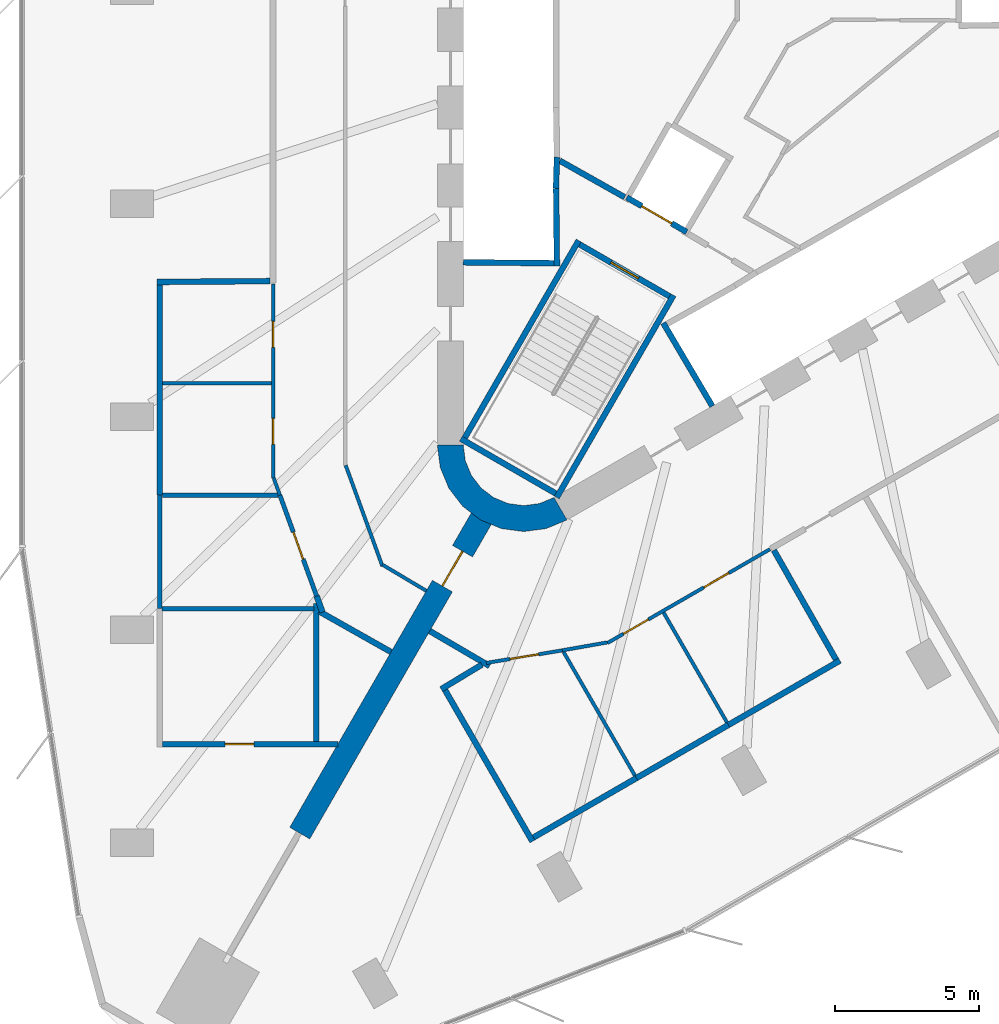
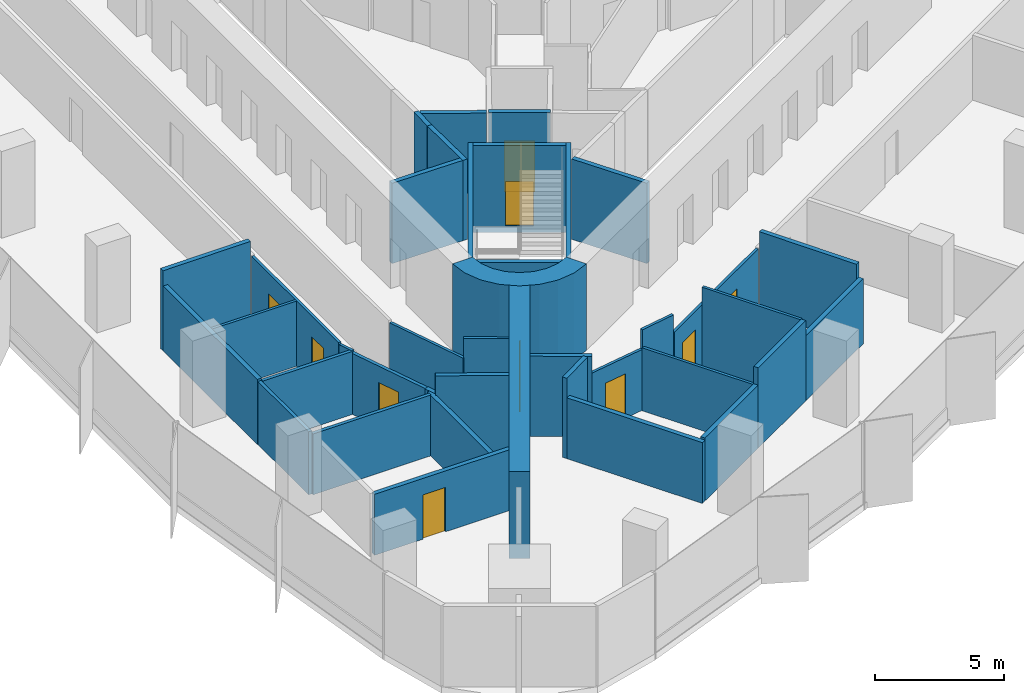
# One storey, part 9 of 15: 39 walls, 10 doors, 10 openings.
"""IFC4 building model written with IfcOpenShell, lengths in metres."""

from ifc_helpers import new_model, si_unit, direction, frame, frame_2d, origin, place, context, subcontext, project, spatial, polyline, rectangle, outline, extrude, material, layer, layer_set, type_object, element, fill, save


model = new_model("IFC4")

# Units and contexts
model_context = context("Model", 3, precision=1e-05, world=origin(), true_north=direction((0.0, 1.0)))
body_context = subcontext(model_context, "Body", "Model", "MODEL_VIEW")
ifc_project = project(units=[si_unit("LENGTHUNIT", "METRE"), si_unit("AREAUNIT", "SQUARE_METRE"), si_unit("VOLUMEUNIT", "CUBIC_METRE"), si_unit("PLANEANGLEUNIT", "RADIAN"), si_unit("MASSUNIT", "GRAM", prefix="KILO")], contexts=[model_context])

# Site, building, storey
site_placement = place(None, origin())
site = spatial("IfcSite", under=ifc_project, at=site_placement, CompositionType="ELEMENT")
building_placement = place(site_placement, origin())
building = spatial("IfcBuilding", under=site, at=building_placement, Name="Tanit Gate Tower", CompositionType="ELEMENT")
storey_placement = place(building_placement, frame((0.0, 0.0, 131.60009765625)))
storey = spatial("IfcBuildingStorey", under=building, at=storey_placement, Name="L28", CompositionType="ELEMENT", Elevation=131.60009765625)

# Wall, opening, door
ifc_material_1 = material(Name="Concrete C60/75", Category="concrete")
ifc_layer_1 = layer(ifc_material_1, 0.800048828125)
ifc_layer_set_1 = layer_set([ifc_layer_1], Name="BUTTRESS FIN 800 C60/75")
wall_type_1 = type_object("IfcWallType", Name="BUTTRESS FIN 800 C60/75", PredefinedType="SHEAR", material=ifc_layer_set_1)
wall_1_placement = place(storey_placement, frame((-10.574951171875, -18.31640625, 0.0), z_axis=(0.0, 0.0, 1.0), x_axis=(-0.500005394759, -0.866022289097, 0.0)))
wall_1 = element("IfcWall", 1, at=wall_1_placement, inside=storey, type_object=wall_type_1, Name="BUTTRESS FIN", PredefinedType="SHEAR", context=body_context, shape_type="SweptSolid", body=[
    extrude(rectangle(XDim=12.597900390625, YDim=0.800048828125, at=frame_2d((6.298828125, 0.0))), origin(), (0.0, 0.0, 1.0), 4.099853515625),
])
opening_1_placement = place(wall_1_placement, frame((1.300048828125, 0.0, 0.0)))
opening_1 = element("IfcOpeningElement", 2, at=opening_1_placement, cuts=wall_1, Name="Opening P14-S07-F-SW-1", PredefinedType="OPENING", context=body_context, shape_type="SweptSolid", body=[
    extrude(rectangle(XDim=1.39990234375, YDim=2.39990234375, at=frame_2d((0.699951171875, 1.199951171875))), frame((0.0, 0.41015625, 0.0), z_axis=(0.0, -1.0, 0.0), x_axis=(1.0, 0.0, 0.0)), (0.0, 0.0, 1.0), 0.820068359375),
])
ifc_material_2 = material(Name="Timber door leaf", Category="wood")
door_type_1 = type_object("IfcDoorType", Name="INT-DOOR-FIN-PAIR-1400", OperationType="NOTDEFINED", PredefinedType="NOTDEFINED", material=ifc_material_2)
door_1_placement = place(opening_1_placement, origin())
door_1 = element("IfcDoor", 3, at=door_1_placement, inside=storey, type_object=door_type_1, Name="Door P14-S07-F-SW-1", OperationType="DOUBLE_DOOR_SINGLE_SWING", OverallHeight=2.39990234375, OverallWidth=1.39990234375, PredefinedType="NOTDEFINED", context=body_context, shape_type="SweptSolid", body=[
    extrude(rectangle(XDim=1.39990234375, YDim=2.39990234375, at=frame_2d((0.699951171875, 1.199951171875))), frame((0.0, 0.02490234375, 0.0), z_axis=(0.0, -1.0, 0.0), x_axis=(1.0, 0.0, 0.0)), (0.0, 0.0, 1.0), 0.050048828125),
])
fill(opening_1, door_1)

# Walls
ifc_material_3 = material(Name="Concrete C60/75", Category="concrete")
ifc_layer_2 = layer(ifc_material_3, 0.89990234375)
ifc_layer_set_2 = layer_set([ifc_layer_2], Name="CORE WALL 900 C60/75")
wall_type_2 = type_object("IfcWallType", Name="CORE WALL 900 C60/75", PredefinedType="SHEAR", material=ifc_layer_set_2)
wall_2_placement = place(storey_placement, origin())
element("IfcWall", 4, at=wall_2_placement, inside=storey, type_object=wall_type_2, Name="CORE WALL CORNER", PredefinedType="SHEAR", context=body_context, shape_type="SweptSolid", body=[
    extrude(outline(polyline([(-12.10009765625, -15.76171875), (-11.997802734375, -16.5380859375), (-11.697998046875, -17.26171875), (-11.22119140625, -17.883056640625), (-10.60009765625, -18.359619140625), (-9.87646484375, -18.659423828125), (-9.10009765625, -18.76171875), (-8.323486328125, -18.659423828125), (-7.60009765625, -18.359619140625), (-8.050048828125, -17.580322265625), (-8.556396484375, -17.7900390625), (-9.10009765625, -17.86181640625), (-9.6435546875, -17.7900390625), (-10.14990234375, -17.580322265625), (-10.5849609375, -17.24658203125), (-10.918701171875, -16.811767578125), (-11.12841796875, -16.30517578125), (-11.199951171875, -15.76171875), (-12.10009765625, -15.76171875)])), origin(), (0.0, 0.0, 1.0), 4.099853515625),
])
ifc_material_4 = material(Name="Fire-rated gypsum board partition")
ifc_layer_3 = layer(ifc_material_4, 0.199951171875)
ifc_layer_set_3 = layer_set([ifc_layer_3], Name="INT-WALL-COMPARTMENT")
wall_type_3 = type_object("IfcWallType", Name="INT-WALL-COMPARTMENT", PredefinedType="PARTITIONING", material=ifc_layer_set_3)
wall_3_placement = place(storey_placement, frame((-7.84912109375, -5.893798828125, 0.0), z_axis=(0.0, 0.0, 1.0), x_axis=(0.871340486379, -0.490678873396, 0.0)))
element("IfcWall", 5, at=wall_3_placement, inside=storey, type_object=wall_type_3, Name="Wall Compartment W063", PredefinedType="PARTITIONING", context=body_context, shape_type="SweptSolid", body=[
    extrude(rectangle(XDim=2.580810546875, YDim=0.199951171875, at=frame_2d((1.29052734375, 0.0))), origin(), (0.0, 0.0, 1.0), 3.7998046875),
])
wall_4_placement = place(storey_placement, frame((-16.199951171875, -21.532470703125, 0.0), z_axis=(0.0, 0.0, 1.0), x_axis=(0.870802525435, -0.491632954241, 0.0)))
element("IfcWall", 6, at=wall_4_placement, inside=storey, type_object=wall_type_3, Name="Wall Compartment W094", PredefinedType="PARTITIONING", context=body_context, shape_type="SweptSolid", body=[
    extrude(rectangle(XDim=2.86328125, YDim=0.199951171875, at=frame_2d((1.431640625, 0.0))), origin(), (0.0, 0.0, 1.0), 3.7998046875),
])
wall_5_placement = place(storey_placement, frame((-16.28759765625, -21.00146484375, 0.0), z_axis=(0.0, 0.0, 1.0), x_axis=(0.342137351889, -0.939649952079, 0.0)))
element("IfcWall", 7, at=wall_5_placement, inside=storey, type_object=wall_type_3, Name="Wall Compartment W095", PredefinedType="PARTITIONING", context=body_context, shape_type="SweptSolid", body=[
    extrude(rectangle(XDim=0.596435546875, YDim=0.199951171875, at=frame_2d((0.29833984375, 0.0))), origin(), (0.0, 0.0, 1.0), 2.8798828125),
])
wall_6_placement = place(storey_placement, frame((-12.36279296875, -22.213134765625, 0.0), z_axis=(0.0, 0.0, 1.0), x_axis=(0.863185097125, -0.504887599472, 0.0)))
element("IfcWall", 8, at=wall_6_placement, inside=storey, type_object=wall_type_3, Name="Wall Compartment W109", PredefinedType="PARTITIONING", context=body_context, shape_type="SweptSolid", body=[
    extrude(rectangle(XDim=2.4033203125, YDim=0.199951171875, at=frame_2d((1.20166015625, 0.0))), origin(), (0.0, 0.0, 1.0), 3.7998046875),
])
wall_7_placement = place(storey_placement, frame((-21.830078125, -10.100830078125, 0.0), z_axis=(0.0, 0.0, 1.0), x_axis=(0.999970811124, 0.007640477685, 0.0)))
element("IfcWall", 9, at=wall_7_placement, inside=storey, type_object=wall_type_3, Name="Wall Compartment W119", PredefinedType="PARTITIONING", context=body_context, shape_type="SweptSolid", body=[
    extrude(rectangle(XDim=3.93017578125, YDim=0.199951171875, at=frame_2d((1.965087890625, 0.0))), origin(), (0.0, 0.0, 1.0), 3.7998046875),
])
wall_8_placement = place(storey_placement, frame((-21.72998046875, -17.491455078125, 0.0), z_axis=(0.0, 0.0, 1.0), x_axis=(0.0, 1.0, 0.0)))
element("IfcWall", 10, at=wall_8_placement, inside=storey, type_object=wall_type_3, Name="Wall Compartment W121", PredefinedType="PARTITIONING", context=body_context, shape_type="SweptSolid", body=[
    extrude(rectangle(XDim=7.29150390625, YDim=0.199951171875, at=frame_2d((3.645751953125, 0.0))), origin(), (0.0, 0.0, 1.0), 3.079833984375),
])

# Wall, opening, door
wall_9_placement = place(storey_placement, frame((-21.6298828125, -26.139892578125, 0.0), z_axis=(0.0, 0.0, 1.0), x_axis=(1.0, 0.0, 0.0)))
wall_9 = element("IfcWall", 11, at=wall_9_placement, inside=storey, type_object=wall_type_3, Name="Wall Compartment W125", PredefinedType="PARTITIONING", context=body_context, shape_type="SweptSolid", body=[
    extrude(rectangle(XDim=6.076171875, YDim=0.199951171875, at=frame_2d((3.0380859375, 0.0))), origin(), (0.0, 0.0, 1.0), 2.8798828125),
])
opening_2_placement = place(wall_9_placement, frame((2.1650390625, 0.0, 0.0)))
opening_2 = element("IfcOpeningElement", 12, at=opening_2_placement, cuts=wall_9, Name="Opening F10-S07-19", PredefinedType="OPENING", context=body_context, shape_type="SweptSolid", body=[
    extrude(rectangle(XDim=1.0, YDim=2.10009765625, at=frame_2d((0.5, 1.050048828125))), frame((0.0, 0.10986328125, 0.0), z_axis=(0.0, -1.0, 0.0), x_axis=(1.0, 0.0, 0.0)), (0.0, 0.0, 1.0), 0.219970703125),
])
ifc_material_5 = material(Name="Fire-rated steel door leaf", Category="steel")
door_type_2 = type_object("IfcDoorType", Name="INT-DOOR-FIRE-1000", OperationType="NOTDEFINED", PredefinedType="USERDEFINED", material=ifc_material_5)
door_2_placement = place(opening_2_placement, origin())
door_2 = element("IfcDoor", 13, at=door_2_placement, inside=storey, type_object=door_type_2, Name="Door F10-S07-19", ObjectType="FIRE DOOR", OperationType="SINGLE_SWING_LEFT", OverallHeight=2.10009765625, OverallWidth=1.0, PredefinedType="USERDEFINED", context=body_context, shape_type="SweptSolid", body=[
    extrude(rectangle(XDim=1.0, YDim=2.10009765625, at=frame_2d((0.5, 1.050048828125))), frame((0.0, 0.02490234375, 0.0), z_axis=(0.0, -1.0, 0.0), x_axis=(1.0, 0.0, 0.0)), (0.0, 0.0, 1.0), 0.050048828125),
])
fill(opening_2, door_2)

# Walls
wall_10_placement = place(storey_placement, frame((-16.300048828125, -26.0400390625, 0.0), z_axis=(0.0, 0.0, 1.0), x_axis=(0.0, 1.0, 0.0)))
element("IfcWall", 14, at=wall_10_placement, inside=storey, type_object=wall_type_3, Name="Wall Compartment W126", PredefinedType="PARTITIONING", context=body_context, shape_type="SweptSolid", body=[
    extrude(rectangle(XDim=4.7802734375, YDim=0.199951171875, at=frame_2d((2.39013671875, 0.0))), origin(), (0.0, 0.0, 1.0), 2.8798828125),
])
wall_11_placement = place(storey_placement, frame((1.86962890625, -23.238525390625, 0.0), z_axis=(0.0, 0.0, 1.0), x_axis=(-0.866020802127, -0.50000797022, 0.0)))
element("IfcWall", 15, at=wall_11_placement, inside=storey, type_object=wall_type_3, Name="Wall Compartment W131", PredefinedType="PARTITIONING", context=body_context, shape_type="SweptSolid", body=[
    extrude(rectangle(XDim=4.4658203125, YDim=0.199951171875, at=frame_2d((2.23291015625, 0.0))), origin(), (0.0, 0.0, 1.0), 3.079833984375),
])
wall_12_placement = place(storey_placement, frame((-1.997802734375, -25.471435546875, 0.0), z_axis=(0.0, 0.0, 1.0), x_axis=(-0.866019184983, -0.500010771126, 0.0)))
element("IfcWall", 16, at=wall_12_placement, inside=storey, type_object=wall_type_3, Name="Wall Compartment W133", PredefinedType="PARTITIONING", context=body_context, shape_type="SweptSolid", body=[
    extrude(rectangle(XDim=3.689453125, YDim=0.199951171875, at=frame_2d((1.8447265625, 0.0))), origin(), (0.0, 0.0, 1.0), 3.7998046875),
])
wall_13_placement = place(storey_placement, frame((-5.19287109375, -27.316162109375, 0.0), z_axis=(0.0, 0.0, 1.0), x_axis=(-0.866040610509, -0.499973660256, 0.0)))
element("IfcWall", 17, at=wall_13_placement, inside=storey, type_object=wall_type_3, Name="Wall Compartment W136", PredefinedType="PARTITIONING", context=body_context, shape_type="SweptSolid", body=[
    extrude(rectangle(XDim=4.122314453125, YDim=0.199951171875, at=frame_2d((2.06103515625, 0.0))), origin(), (0.0, 0.0, 1.0), 2.97998046875),
])
wall_14_placement = place(storey_placement, frame((1.733642578125, -23.20166015625, 0.0), z_axis=(0.0, 0.0, 1.0), x_axis=(-0.494262399959, 0.869312763041, 0.0)))
element("IfcWall", 18, at=wall_14_placement, inside=storey, type_object=wall_type_3, Name="Wall Compartment W132", PredefinedType="PARTITIONING", context=body_context, shape_type="SweptSolid", body=[
    extrude(rectangle(XDim=4.360107421875, YDim=0.199951171875, at=frame_2d((2.18017578125, 0.0))), origin(), (0.0, 0.0, 1.0), 3.7998046875),
])
wall_15_placement = place(storey_placement, frame((-10.552734375, -23.38037109375, 0.0), z_axis=(0.0, 0.0, 1.0), x_axis=(-0.856707917583, -0.515801845625, 0.0)))
element("IfcWall", 19, at=wall_15_placement, inside=storey, type_object=wall_type_3, Name="Wall Compartment W134", PredefinedType="PARTITIONING", context=body_context, shape_type="SweptSolid", body=[
    extrude(rectangle(XDim=1.648681640625, YDim=0.199951171875, at=frame_2d((0.82421875, 0.0))), origin(), (0.0, 0.0, 1.0), 3.7998046875),
])
wall_16_placement = place(storey_placement, frame((-11.82958984375, -24.265625, 0.0), z_axis=(0.0, 0.0, 1.0), x_axis=(0.499990973765, -0.866030615021, 0.0)))
element("IfcWall", 20, at=wall_16_placement, inside=storey, type_object=wall_type_3, Name="Wall Compartment W135", PredefinedType="PARTITIONING", context=body_context, shape_type="SweptSolid", body=[
    extrude(rectangle(XDim=6.06005859375, YDim=0.199951171875, at=frame_2d((3.030029296875, 0.0))), origin(), (0.0, 0.0, 1.0), 2.8798828125),
])
ifc_material_6 = material(Name="Gypsum board partition")
ifc_layer_4 = layer(ifc_material_6, 0.1201171875)
ifc_layer_set_4 = layer_set([ifc_layer_4], Name="INT-WALL-PARTITION")
wall_type_4 = type_object("IfcWallType", Name="INT-WALL-PARTITION", PredefinedType="PARTITIONING", material=ifc_layer_set_4)
wall_17_placement = place(storey_placement, frame((-15.279541015625, -16.461669921875, 0.0), z_axis=(0.0, 0.0, 1.0), x_axis=(0.34206888523, -0.939674878752, 0.0)))
element("IfcWall", 21, at=wall_17_placement, inside=storey, type_object=wall_type_4, Name="Wall Partition W089", PredefinedType="PARTITIONING", context=body_context, shape_type="SweptSolid", body=[
    extrude(rectangle(XDim=3.72998046875, YDim=0.1201171875, at=frame_2d((1.864990234375, 0.0))), origin(), (0.0, 0.0, 1.0), 2.8798828125),
])
wall_18_placement = place(storey_placement, frame((-14.005126953125, -19.91162109375, 0.0), z_axis=(0.0, 0.0, 1.0), x_axis=(0.859128591272, -0.511759771435, 0.0)))
element("IfcWall", 22, at=wall_18_placement, inside=storey, type_object=wall_type_4, Name="Wall Partition W090", PredefinedType="PARTITIONING", context=body_context, shape_type="SweptSolid", body=[
    extrude(rectangle(XDim=1.773193359375, YDim=0.1201171875, at=frame_2d((0.88671875, 0.0))), origin(), (0.0, 0.0, 1.0), 3.7998046875),
])

# Wall, openings, doors
wall_19_placement = place(storey_placement, frame((-17.800048828125, -10.169921875, 0.0), z_axis=(0.0, 0.0, 1.0), x_axis=(0.0, -1.0, 0.0)))
wall_19 = element("IfcWall", 23, at=wall_19_placement, inside=storey, type_object=wall_type_4, Name="Wall Partition W096", PredefinedType="PARTITIONING", context=body_context, shape_type="SweptSolid", body=[
    extrude(rectangle(XDim=6.736083984375, YDim=0.1201171875, at=frame_2d((3.3681640625, 0.0))), origin(), (0.0, 0.0, 1.0), 3.079833984375),
])
opening_3_placement = place(wall_19_placement, frame((1.299560546875, 0.0, 0.0)))
opening_3 = element("IfcOpeningElement", 24, at=opening_3_placement, cuts=wall_19, Name="Opening D09-S07-16", PredefinedType="OPENING", context=body_context, shape_type="SweptSolid", body=[
    extrude(rectangle(XDim=0.89990234375, YDim=2.10009765625, at=frame_2d((0.449951171875, 1.050048828125))), frame((0.0, 0.070068359375, 0.0), z_axis=(0.0, -1.0, 0.0), x_axis=(1.0, 0.0, 0.0)), (0.0, 0.0, 1.0), 0.14013671875),
])
opening_4_placement = place(wall_19_placement, frame((4.66748046875, 0.0, 0.0)))
opening_4 = element("IfcOpeningElement", 25, at=opening_4_placement, cuts=wall_19, Name="Opening D09-S07-17", PredefinedType="OPENING", context=body_context, shape_type="SweptSolid", body=[
    extrude(rectangle(XDim=0.89990234375, YDim=2.10009765625, at=frame_2d((0.449951171875, 1.050048828125))), frame((0.0, 0.070068359375, 0.0), z_axis=(0.0, -1.0, 0.0), x_axis=(1.0, 0.0, 0.0)), (0.0, 0.0, 1.0), 0.14013671875),
])
ifc_material_7 = material(Name="Timber door leaf", Category="wood")
door_type_3 = type_object("IfcDoorType", Name="INT-DOOR-SINGLE-900", OperationType="NOTDEFINED", PredefinedType="NOTDEFINED", material=ifc_material_7)
door_3_placement = place(opening_3_placement, origin())
door_3 = element("IfcDoor", 26, at=door_3_placement, inside=storey, type_object=door_type_3, Name="Door D09-S07-16", OperationType="SINGLE_SWING_LEFT", OverallHeight=2.10009765625, OverallWidth=0.89990234375, PredefinedType="NOTDEFINED", context=body_context, shape_type="SweptSolid", body=[
    extrude(rectangle(XDim=0.89990234375, YDim=2.10009765625, at=frame_2d((0.449951171875, 1.050048828125))), frame((0.0, 0.02490234375, 0.0), z_axis=(0.0, -1.0, 0.0), x_axis=(1.0, 0.0, 0.0)), (0.0, 0.0, 1.0), 0.050048828125),
])
fill(opening_3, door_3)
door_4_placement = place(opening_4_placement, origin())
door_4 = element("IfcDoor", 27, at=door_4_placement, inside=storey, type_object=door_type_3, Name="Door D09-S07-17", OperationType="SINGLE_SWING_RIGHT", OverallHeight=2.10009765625, OverallWidth=0.89990234375, PredefinedType="NOTDEFINED", context=body_context, shape_type="SweptSolid", body=[
    extrude(rectangle(XDim=0.89990234375, YDim=2.10009765625, at=frame_2d((0.449951171875, 1.050048828125))), frame((0.0, 0.02490234375, 0.0), z_axis=(0.0, -1.0, 0.0), x_axis=(1.0, 0.0, 0.0)), (0.0, 0.0, 1.0), 0.050048828125),
])
fill(opening_4, door_4)

# Wall
wall_20_placement = place(storey_placement, frame((-17.779541015625, -16.90234375, 0.0), z_axis=(0.0, 0.0, 1.0), x_axis=(0.341988220281, -0.93970423921, 0.0)))
element("IfcWall", 28, at=wall_20_placement, inside=storey, type_object=wall_type_4, Name="Wall Partition W097", PredefinedType="PARTITIONING", context=body_context, shape_type="SweptSolid", body=[
    extrude(rectangle(XDim=0.6396484375, YDim=0.1201171875, at=frame_2d((0.31982421875, 0.0))), origin(), (0.0, 0.0, 1.0), 2.97998046875),
])

# Wall, openings, doors
wall_21_placement = place(storey_placement, frame((-6.192626953125, -22.6279296875, 0.0), z_axis=(0.0, 0.0, 1.0), x_axis=(0.866031884678, 0.499988774596, 0.0)))
wall_21 = element("IfcWall", 29, at=wall_21_placement, inside=storey, type_object=wall_type_4, Name="Wall Partition W112", PredefinedType="PARTITIONING", context=body_context, shape_type="SweptSolid", body=[
    extrude(rectangle(XDim=6.507080078125, YDim=0.1201171875, at=frame_2d((3.25341796875, 0.0))), origin(), (0.0, 0.0, 1.0), 2.97998046875),
])
opening_5_placement = place(wall_21_placement, frame((3.85888671875, 0.0, 0.0)))
opening_5 = element("IfcOpeningElement", 30, at=opening_5_placement, cuts=wall_21, Name="Opening D10-S07-20", PredefinedType="OPENING", context=body_context, shape_type="SweptSolid", body=[
    extrude(rectangle(XDim=1.0, YDim=2.10009765625, at=frame_2d((0.5, 1.050048828125))), frame((0.0, 0.070068359375, 0.0), z_axis=(0.0, -1.0, 0.0), x_axis=(1.0, 0.0, 0.0)), (0.0, 0.0, 1.0), 0.14013671875),
])
opening_6_placement = place(wall_21_placement, frame((0.635498046875, 0.0, 0.0)))
opening_6 = element("IfcOpeningElement", 31, at=opening_6_placement, cuts=wall_21, Name="Opening D10-S07-21", PredefinedType="OPENING", context=body_context, shape_type="SweptSolid", body=[
    extrude(rectangle(XDim=1.0, YDim=2.10009765625, at=frame_2d((0.5, 1.050048828125))), frame((0.0, 0.070068359375, 0.0), z_axis=(0.0, -1.0, 0.0), x_axis=(1.0, 0.0, 0.0)), (0.0, 0.0, 1.0), 0.14013671875),
])
ifc_material_8 = material(Name="Timber door leaf", Category="wood")
door_type_4 = type_object("IfcDoorType", Name="INT-DOOR-SINGLE-1000", OperationType="NOTDEFINED", PredefinedType="NOTDEFINED", material=ifc_material_8)
door_5_placement = place(opening_5_placement, origin())
door_5 = element("IfcDoor", 32, at=door_5_placement, inside=storey, type_object=door_type_4, Name="Door D10-S07-20", OperationType="SINGLE_SWING_RIGHT", OverallHeight=2.10009765625, OverallWidth=1.0, PredefinedType="NOTDEFINED", context=body_context, shape_type="SweptSolid", body=[
    extrude(rectangle(XDim=1.0, YDim=2.10009765625, at=frame_2d((0.5, 1.050048828125))), frame((0.0, 0.02490234375, 0.0), z_axis=(0.0, -1.0, 0.0), x_axis=(1.0, 0.0, 0.0)), (0.0, 0.0, 1.0), 0.050048828125),
])
fill(opening_5, door_5)
door_6_placement = place(opening_6_placement, origin())
door_6 = element("IfcDoor", 33, at=door_6_placement, inside=storey, type_object=door_type_4, Name="Door D10-S07-21", OperationType="SINGLE_SWING_LEFT", OverallHeight=2.10009765625, OverallWidth=1.0, PredefinedType="NOTDEFINED", context=body_context, shape_type="SweptSolid", body=[
    extrude(rectangle(XDim=1.0, YDim=2.10009765625, at=frame_2d((0.5, 1.050048828125))), frame((0.0, 0.02490234375, 0.0), z_axis=(0.0, -1.0, 0.0), x_axis=(1.0, 0.0, 0.0)), (0.0, 0.0, 1.0), 0.050048828125),
])
fill(opening_6, door_6)

# Wall
wall_22_placement = place(storey_placement, frame((-7.762939453125, -22.8837890625, 0.0), z_axis=(0.0, 0.0, 1.0), x_axis=(0.984808322643, 0.173644947097, 0.0)))
element("IfcWall", 34, at=wall_22_placement, inside=storey, type_object=wall_type_4, Name="Wall Partition W113", PredefinedType="PARTITIONING", context=body_context, shape_type="SweptSolid", body=[
    extrude(rectangle(XDim=1.58740234375, YDim=0.1201171875, at=frame_2d((0.793701171875, 0.0))), origin(), (0.0, 0.0, 1.0), 3.7998046875),
])

# Wall, opening, door
wall_23_placement = place(storey_placement, frame((-10.3984375, -23.3212890625, 0.0), z_axis=(0.0, 0.0, 1.0), x_axis=(0.986499922069, 0.16376172861, 0.0)))
wall_23 = element("IfcWall", 35, at=wall_23_placement, inside=storey, type_object=wall_type_4, Name="Wall Partition W114", PredefinedType="PARTITIONING", context=body_context, shape_type="SweptSolid", body=[
    extrude(rectangle(XDim=2.671630859375, YDim=0.1201171875, at=frame_2d((1.3359375, 0.0))), origin(), (0.0, 0.0, 1.0), 2.8798828125),
])
opening_7_placement = place(wall_23_placement, frame((0.835693359375, 0.0, 0.0)))
opening_7 = element("IfcOpeningElement", 36, at=opening_7_placement, cuts=wall_23, Name="Opening D10-S07-22", PredefinedType="OPENING", context=body_context, shape_type="SweptSolid", body=[
    extrude(rectangle(XDim=1.0, YDim=2.10009765625, at=frame_2d((0.5, 1.050048828125))), frame((0.0, 0.070068359375, 0.0), z_axis=(0.0, -1.0, 0.0), x_axis=(1.0, 0.0, 0.0)), (0.0, 0.0, 1.0), 0.14013671875),
])
door_7_placement = place(opening_7_placement, origin())
door_7 = element("IfcDoor", 37, at=door_7_placement, inside=storey, type_object=door_type_4, Name="Door D10-S07-22", OperationType="SINGLE_SWING_RIGHT", OverallHeight=2.10009765625, OverallWidth=1.0, PredefinedType="NOTDEFINED", context=body_context, shape_type="SweptSolid", body=[
    extrude(rectangle(XDim=1.0, YDim=2.10009765625, at=frame_2d((0.5, 1.050048828125))), frame((0.0, 0.02490234375, 0.0), z_axis=(0.0, -1.0, 0.0), x_axis=(1.0, 0.0, 0.0)), (0.0, 0.0, 1.0), 0.050048828125),
])
fill(opening_7, door_7)

# Walls
wall_24_placement = place(storey_placement, frame((-17.860107421875, -13.60888671875, 0.0), z_axis=(0.0, 0.0, 1.0), x_axis=(-1.0, 0.0, 0.0)))
element("IfcWall", 38, at=wall_24_placement, inside=storey, type_object=wall_type_4, Name="Wall Partition W137", PredefinedType="PARTITIONING", context=body_context, shape_type="SweptSolid", body=[
    extrude(rectangle(XDim=3.769775390625, YDim=0.1201171875, at=frame_2d((1.884765625, 0.0))), origin(), (0.0, 0.0, 1.0), 3.079833984375),
])
wall_25_placement = place(storey_placement, frame((-4.247802734375, -21.57421875, 0.0), z_axis=(0.0, 0.0, 1.0), x_axis=(0.499988222896, -0.866032203192, 0.0)))
element("IfcWall", 39, at=wall_25_placement, inside=storey, type_object=wall_type_4, Name="Wall Partition W140", PredefinedType="PARTITIONING", context=body_context, shape_type="SweptSolid", body=[
    extrude(rectangle(XDim=4.39990234375, YDim=0.1201171875, at=frame_2d((2.199951171875, 0.0))), origin(), (0.0, 0.0, 1.0), 3.7998046875),
])
wall_26_placement = place(storey_placement, frame((-5.242919921875, -27.2294921875, 0.0), z_axis=(0.0, 0.0, 1.0), x_axis=(-0.500006734102, 0.866021515814, 0.0)))
element("IfcWall", 40, at=wall_26_placement, inside=storey, type_object=wall_type_4, Name="Wall Partition W141", PredefinedType="PARTITIONING", context=body_context, shape_type="SweptSolid", body=[
    extrude(rectangle(XDim=4.9560546875, YDim=0.1201171875, at=frame_2d((2.47802734375, 0.0))), origin(), (0.0, 0.0, 1.0), 2.97998046875),
])

# Wall, opening, door
ifc_material_9 = material(Name="Fire-rated gypsum board partition")
ifc_layer_5 = layer(ifc_material_9, 0.14990234375)
ifc_layer_set_5 = layer_set([ifc_layer_5], Name="INT-WALL-RISER")
wall_type_5 = type_object("IfcWallType", Name="INT-WALL-RISER", PredefinedType="PLUMBINGWALL", material=ifc_layer_set_5)
wall_27_placement = place(storey_placement, frame((-17.560791015625, -17.50341796875, 0.0), z_axis=(0.0, 0.0, 1.0), x_axis=(0.342022140343, -0.939691893929, 0.0)))
wall_27 = element("IfcWall", 41, at=wall_27_placement, inside=storey, type_object=wall_type_5, Name="Wall Riser W099", PredefinedType="PLUMBINGWALL", context=body_context, shape_type="SweptSolid", body=[
    extrude(rectangle(XDim=3.72265625, YDim=0.14990234375, at=frame_2d((1.861328125, 0.0))), origin(), (0.0, 0.0, 1.0), 2.8798828125),
])
opening_8_placement = place(wall_27_placement, frame((1.361083984375, 0.0, 0.0)))
opening_8 = element("IfcOpeningElement", 42, at=opening_8_placement, cuts=wall_27, Name="Opening F10-S07-18", PredefinedType="OPENING", context=body_context, shape_type="SweptSolid", body=[
    extrude(rectangle(XDim=1.0, YDim=2.10009765625, at=frame_2d((0.5, 1.050048828125))), frame((0.0, 0.0849609375, 0.0), z_axis=(0.0, -1.0, 0.0), x_axis=(1.0, 0.0, 0.0)), (0.0, 0.0, 1.0), 0.169921875),
])
door_8_placement = place(opening_8_placement, origin())
door_8 = element("IfcDoor", 43, at=door_8_placement, inside=storey, type_object=door_type_2, Name="Door F10-S07-18", ObjectType="FIRE DOOR", OperationType="SINGLE_SWING_LEFT", OverallHeight=2.10009765625, OverallWidth=1.0, PredefinedType="USERDEFINED", context=body_context, shape_type="SweptSolid", body=[
    extrude(rectangle(XDim=1.0, YDim=2.10009765625, at=frame_2d((0.5, 1.050048828125))), frame((0.0, 0.02490234375, 0.0), z_axis=(0.0, -1.0, 0.0), x_axis=(1.0, 0.0, 0.0)), (0.0, 0.0, 1.0), 0.050048828125),
])
fill(opening_8, door_8)

# Walls
wall_28_placement = place(storey_placement, frame((-21.72998046875, -21.431396484375, 0.0), z_axis=(0.0, 0.0, 1.0), x_axis=(0.0, 1.0, 0.0)))
element("IfcWall", 44, at=wall_28_placement, inside=storey, type_object=wall_type_5, Name="Wall Riser W122", PredefinedType="PLUMBINGWALL", context=body_context, shape_type="SweptSolid", body=[
    extrude(rectangle(XDim=3.93994140625, YDim=0.14990234375, at=frame_2d((1.969970703125, 0.0))), origin(), (0.0, 0.0, 1.0), 2.97998046875),
])
wall_29_placement = place(storey_placement, frame((-17.626220703125, -17.4990234375, 0.0), z_axis=(0.0, 0.0, 1.0), x_axis=(-1.0, 0.0, 0.0)))
element("IfcWall", 45, at=wall_29_placement, inside=storey, type_object=wall_type_5, Name="Wall Riser W138", PredefinedType="PLUMBINGWALL", context=body_context, shape_type="SweptSolid", body=[
    extrude(rectangle(XDim=4.003662109375, YDim=0.14990234375, at=frame_2d((2.001953125, 0.0))), origin(), (0.0, 0.0, 1.0), 2.97998046875),
])
wall_30_placement = place(storey_placement, frame((-16.375, -21.43896484375, 0.0), z_axis=(0.0, 0.0, 1.0), x_axis=(-1.0, 0.0, 0.0)))
element("IfcWall", 46, at=wall_30_placement, inside=storey, type_object=wall_type_5, Name="Wall Riser W139", PredefinedType="PLUMBINGWALL", context=body_context, shape_type="SweptSolid", body=[
    extrude(rectangle(XDim=5.280029296875, YDim=0.14990234375, at=frame_2d((2.64013671875, 0.0))), origin(), (0.0, 0.0, 1.0), 2.8798828125),
])
ifc_material_10 = material(Name="Gypsum shaft wall system")
ifc_layer_6 = layer(ifc_material_10, 0.199951171875)
ifc_layer_set_6 = layer_set([ifc_layer_6], Name="INT-WALL-SHAFT")
wall_type_6 = type_object("IfcWallType", Name="INT-WALL-SHAFT", PredefinedType="PLUMBINGWALL", material=ifc_layer_set_6)
wall_31_placement = place(storey_placement, frame((-7.949951171875, -5.7724609375, 0.0), z_axis=(0.0, 0.0, 1.0), x_axis=(-0.030803413295, -0.999525462272, 0.0)))
element("IfcWall", 47, at=wall_31_placement, inside=storey, type_object=wall_type_6, Name="Wall Shaft W009", PredefinedType="PLUMBINGWALL", context=body_context, shape_type="SweptSolid", body=[
    extrude(rectangle(XDim=1.077880859375, YDim=0.199951171875, at=frame_2d((0.5390625, 0.0))), origin(), (0.0, 0.0, 1.0), 3.7998046875),
])
wall_32_placement = place(storey_placement, frame((-7.97900390625, -6.85009765625, 0.0), z_axis=(0.0, 0.0, 1.0), x_axis=(0.011121475088, -0.999938154483, 0.0)))
element("IfcWall", 48, at=wall_32_placement, inside=storey, type_object=wall_type_6, Name="Wall Shaft W011", PredefinedType="PLUMBINGWALL", context=body_context, shape_type="SweptSolid", body=[
    extrude(rectangle(XDim=2.7001953125, YDim=0.199951171875, at=frame_2d((1.35009765625, 0.0))), origin(), (0.0, 0.0, 1.0), 3.7998046875),
])
wall_33_placement = place(storey_placement, frame((-8.050048828125, -9.448974609375, 0.0), z_axis=(0.0, 0.0, 1.0), x_axis=(-0.999957467379, 0.009222983926, 0.0)))
element("IfcWall", 49, at=wall_33_placement, inside=storey, type_object=wall_type_6, Name="Wall Shaft W012", PredefinedType="PLUMBINGWALL", context=body_context, shape_type="SweptSolid", body=[
    extrude(rectangle(XDim=3.150146484375, YDim=0.199951171875, at=frame_2d((1.5751953125, 0.0))), origin(), (0.0, 0.0, 1.0), 3.7998046875),
])
wall_34_placement = place(storey_placement, frame((-2.557861328125, -14.409423828125, 0.0), z_axis=(0.0, 0.0, 1.0), x_axis=(-0.507997497166, 0.861358544901, 0.0)))
element("IfcWall", 50, at=wall_34_placement, inside=storey, type_object=wall_type_6, Name="Wall Shaft W027", PredefinedType="PLUMBINGWALL", context=body_context, shape_type="SweptSolid", body=[
    extrude(rectangle(XDim=3.350341796875, YDim=0.199951171875, at=frame_2d((1.67529296875, 0.0))), origin(), (0.0, 0.0, 1.0), 3.7998046875),
])

# Wall, opening, door
wall_35_placement = place(storey_placement, frame((-3.44580078125, -8.3681640625, 0.0), z_axis=(0.0, 0.0, 1.0), x_axis=(-0.866024647952, 0.500001309137, 0.0)))
wall_35 = element("IfcWall", 51, at=wall_35_placement, inside=storey, type_object=wall_type_6, Name="Wall Shaft W053", PredefinedType="PLUMBINGWALL", context=body_context, shape_type="SweptSolid", body=[
    extrude(rectangle(XDim=2.39990234375, YDim=0.199951171875, at=frame_2d((1.199951171875, 0.0))), origin(), (0.0, 0.0, 1.0), 3.7998046875),
])
opening_9_placement = place(wall_35_placement, frame((0.60009765625, 0.0, 0.0)))
opening_9 = element("IfcOpeningElement", 52, at=opening_9_placement, cuts=wall_35, Name="Opening LDFL3-L28", PredefinedType="OPENING", context=body_context, shape_type="SweptSolid", body=[
    extrude(rectangle(XDim=1.199951171875, YDim=2.39990234375, at=frame_2d((0.60009765625, 1.199951171875))), frame((0.0, 0.10986328125, 0.0), z_axis=(0.0, -1.0, 0.0), x_axis=(1.0, 0.0, 0.0)), (0.0, 0.0, 1.0), 0.219970703125),
])
ifc_material_11 = material(Name="Stainless steel sliding door leaf", Category="steel")
door_type_5 = type_object("IfcDoorType", Name="INT-DOOR-LANDING-1200", OperationType="NOTDEFINED", PredefinedType="USERDEFINED", material=ifc_material_11)
door_9_placement = place(opening_9_placement, origin())
door_9 = element("IfcDoor", 53, at=door_9_placement, inside=storey, type_object=door_type_5, Name="Door LDFL3-L28", ObjectType="LANDING DOOR", OperationType="SLIDING_TO_LEFT", OverallHeight=2.39990234375, OverallWidth=1.199951171875, PredefinedType="USERDEFINED", context=body_context, shape_type="SweptSolid", body=[
    extrude(rectangle(XDim=1.199951171875, YDim=2.39990234375, at=frame_2d((0.60009765625, 1.199951171875))), frame((0.0, 0.02490234375, 0.0), z_axis=(0.0, -1.0, 0.0), x_axis=(1.0, 0.0, 0.0)), (0.0, 0.0, 1.0), 0.050048828125),
])
fill(opening_9, door_9)

# Walls
ifc_material_12 = material(Name="Concrete C40/50", Category="concrete")
ifc_layer_7 = layer(ifc_material_12, 0.199951171875)
ifc_layer_set_7 = layer_set([ifc_layer_7], Name="INT-WALL-STAIR")
wall_type_7 = type_object("IfcWallType", Name="INT-WALL-STAIR", PredefinedType="SHEAR", material=ifc_layer_set_7)
wall_36_placement = place(storey_placement, frame((-3.904541015625, -10.56298828125, -0.300048828125), z_axis=(0.0, 0.0, 1.0), x_axis=(-0.500012932018, -0.866017937352, 0.0)))
element("IfcWall", 54, at=wall_36_placement, inside=storey, type_object=wall_type_7, Name="Wall Stair W049", PredefinedType="SHEAR", context=body_context, shape_type="SweptSolid", body=[
    extrude(rectangle(XDim=8.099853515625, YDim=0.199951171875, at=frame_2d((4.0498046875, 0.0))), origin(), (0.0, 0.0, 1.0), 4.099853515625),
])
wall_37_placement = place(storey_placement, frame((-11.281982421875, -15.541015625, -0.300048828125), z_axis=(0.0, 0.0, 1.0), x_axis=(0.866000483506, -0.500043160704, 0.0)))
element("IfcWall", 55, at=wall_37_placement, inside=storey, type_object=wall_type_7, Name="Wall Stair W050", PredefinedType="SHEAR", context=body_context, shape_type="SweptSolid", body=[
    extrude(rectangle(XDim=3.800048828125, YDim=0.199951171875, at=frame_2d((1.89990234375, 0.0))), origin(), (0.0, 0.0, 1.0), 4.099853515625),
])
wall_38_placement = place(storey_placement, frame((-7.195556640625, -8.662841796875, -0.300048828125), z_axis=(0.0, 0.0, 1.0), x_axis=(-0.499997992926, -0.866026562566, 0.0)))
element("IfcWall", 56, at=wall_38_placement, inside=storey, type_object=wall_type_7, Name="Wall Stair W051", PredefinedType="SHEAR", context=body_context, shape_type="SweptSolid", body=[
    extrude(rectangle(XDim=7.89990234375, YDim=0.199951171875, at=frame_2d((3.949951171875, 0.0))), origin(), (0.0, 0.0, 1.0), 4.099853515625),
])

# Wall, opening, door
wall_39_placement = place(storey_placement, frame((-4.041259765625, -10.599365234375, -0.300048828125), z_axis=(0.0, 0.0, 1.0), x_axis=(-0.866047807691, 0.499961193289, 0.0)))
wall_39 = element("IfcWall", 57, at=wall_39_placement, inside=storey, type_object=wall_type_7, Name="Wall Stair W052", PredefinedType="SHEAR", context=body_context, shape_type="SweptSolid", body=[
    extrude(rectangle(XDim=3.599853515625, YDim=0.199951171875, at=frame_2d((1.7998046875, 0.0))), origin(), (0.0, 0.0, 1.0), 4.099853515625),
])
opening_10_placement = place(wall_39_placement, frame((1.25, 0.0, 0.300048828125)))
opening_10 = element("IfcOpeningElement", 58, at=opening_10_placement, cuts=wall_39, Name="Opening S11-S07-07", PredefinedType="OPENING", context=body_context, shape_type="SweptSolid", body=[
    extrude(rectangle(XDim=1.10009765625, YDim=2.10009765625, at=frame_2d((0.550048828125, 1.050048828125))), frame((0.0, 0.10986328125, 0.0), z_axis=(0.0, -1.0, 0.0), x_axis=(1.0, 0.0, 0.0)), (0.0, 0.0, 1.0), 0.219970703125),
])
ifc_material_13 = material(Name="Timber door leaf", Category="wood")
door_type_6 = type_object("IfcDoorType", Name="INT-DOOR-STAIR-1100", OperationType="NOTDEFINED", PredefinedType="USERDEFINED", material=ifc_material_13)
door_10_placement = place(opening_10_placement, origin())
door_10 = element("IfcDoor", 59, at=door_10_placement, inside=storey, type_object=door_type_6, Name="Door S11-S07-07", ObjectType="FIRE DOOR", OperationType="SINGLE_SWING_LEFT", OverallHeight=2.10009765625, OverallWidth=1.10009765625, PredefinedType="USERDEFINED", context=body_context, shape_type="SweptSolid", body=[
    extrude(rectangle(XDim=1.10009765625, YDim=2.10009765625, at=frame_2d((0.550048828125, 1.050048828125))), frame((0.0, 0.02490234375, 0.0), z_axis=(0.0, -1.0, 0.0), x_axis=(1.0, 0.0, 0.0)), (0.0, 0.0, 1.0), 0.050048828125),
])
fill(opening_10, door_10)

save(model, "model.ifc")
